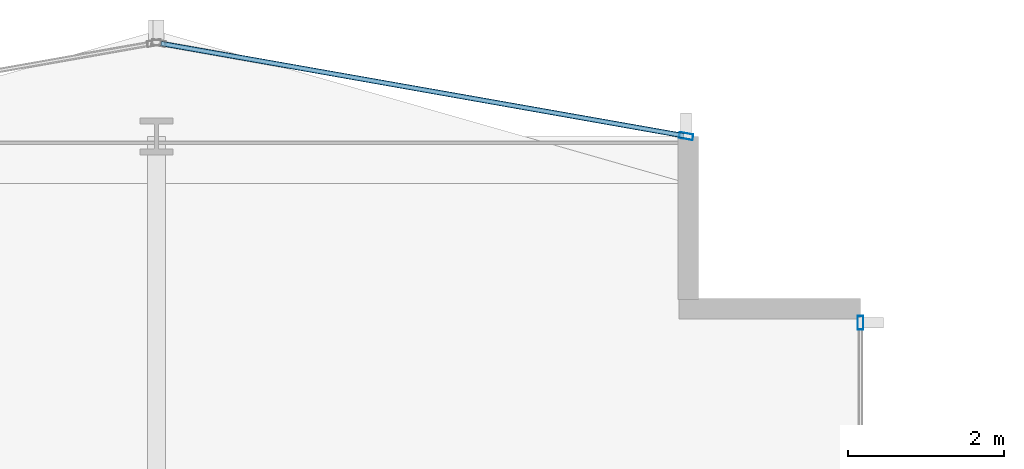
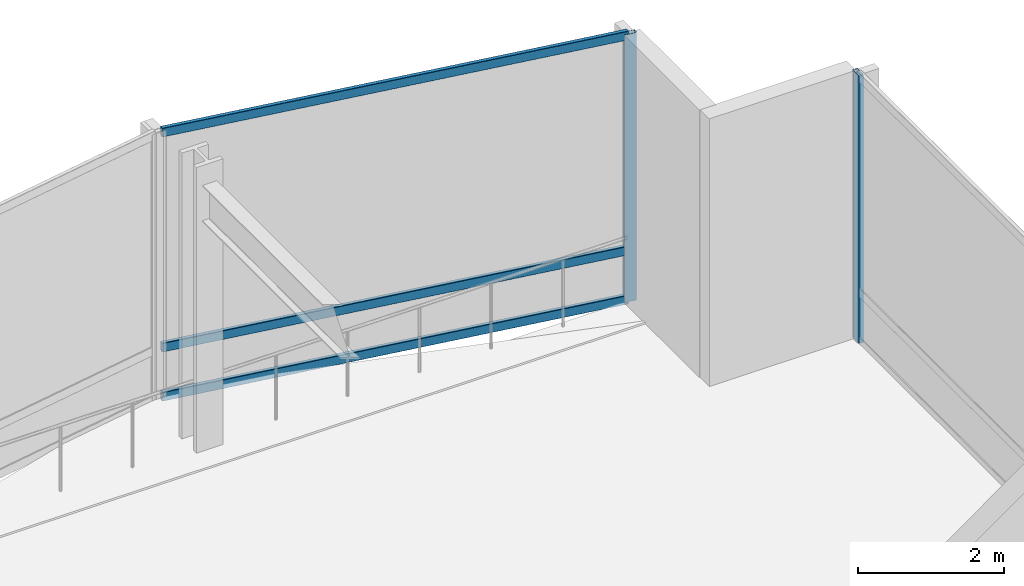
# One storey, part 26 of 42: 5 members, 2 elements without a shape of their own.
"""IFC4 building model written with IfcOpenShell, lengths in metres."""

from ifc_helpers import new_model, si_unit, direction, frame, origin, origin_2d, place, context, subcontext, project, spatial, hollow_rectangle, extrude, material, layer, layer_set, material_profile, profile_set, type_object, element, aggregate, save


model = new_model("IFC4")

# Units and contexts
model_context = context("Model", 3, precision=1e-05, world=origin(), true_north=direction((0.0, 1.0)))
body_context = subcontext(model_context, "Body", "Model", "MODEL_VIEW")
ifc_project = project(units=[si_unit("LENGTHUNIT", "METRE"), si_unit("AREAUNIT", "SQUARE_METRE"), si_unit("VOLUMEUNIT", "CUBIC_METRE"), si_unit("PLANEANGLEUNIT", "RADIAN"), si_unit("MASSUNIT", "GRAM", prefix="KILO")], contexts=[model_context])

# Site, building, storey
site_placement = place(None, origin())
site = spatial("IfcSite", under=ifc_project, at=site_placement, CompositionType="ELEMENT")
building_placement = place(site_placement, origin())
building = spatial("IfcBuilding", under=site, at=building_placement, Name="Solvaryn Broadcast Tower", CompositionType="ELEMENT")
storey_placement = place(building_placement, frame((0.0, 0.0, 100.199951171875)))
storey = spatial("IfcBuildingStorey", under=building, at=storey_placement, Name="L24", CompositionType="ELEMENT", Elevation=100.199951171875)

# Curtain wall, member
ifc_material_1 = material(Name="Aluminium and Terracotta Unitised Curtain Wall", Category="masonry")
ifc_layer = layer(ifc_material_1, 0.199951171875)
ifc_layer_set = layer_set([ifc_layer], Name="CW-SYS2-LOWMID")
curtain_wall_type = type_object("IfcCurtainWallType", Name="CW-SYS2-LOWMID", PredefinedType="NOTDEFINED", material=ifc_layer_set)
curtain_wall_1_placement = place(storey_placement, origin())
curtain_wall_1 = element("IfcCurtainWall", 1, at=curtain_wall_1_placement, inside=storey, type_object=curtain_wall_type, Name="L24 Curtain Wall IV", PredefinedType="NOTDEFINED")
ifc_material_2 = material(Name="Anodised Aluminium 6063-T6", Category="aluminium")
ifc_material_profile_1 = material_profile(ifc_material_2, hollow_rectangle(XDim=0.074951171875, YDim=0.179931640625, WallThickness=0.00390625, InnerFilletRadius=0.00390625, OuterFilletRadius=0.008056640625, at=origin_2d()))
ifc_profile_set_1 = profile_set([ifc_material_profile_1], Name="Anodised Aluminium 6063-T6")
member_type_1 = type_object("IfcMemberType", Name="CW-MUL-180", PredefinedType="MULLION", material=ifc_profile_set_1)
member_1_placement = place(storey_placement, frame((27.0, 51.6201171875, 0.0), z_axis=(0.0, 0.0, 1.0), x_axis=(1.0, 0.0, 0.0)))
member_1 = element("IfcMember", 2, at=member_1_placement, type_object=member_type_1, Name="CWS2 mullion 1", PredefinedType="MULLION", context=body_context, shape_type="SweptSolid", body=[
    extrude(hollow_rectangle(XDim=0.074951171875, YDim=0.179931640625, WallThickness=0.00390625, InnerFilletRadius=0.00390625, OuterFilletRadius=0.008056640625, at=origin_2d()), origin(), (0.0, 0.0, 1.0), 4.469970703125),
])
aggregate(curtain_wall_1, [member_1])

# Curtain wall, members
curtain_wall_2_placement = place(storey_placement, origin())
curtain_wall_2 = element("IfcCurtainWall", 3, at=curtain_wall_2_placement, inside=storey, type_object=curtain_wall_type, Name="L24 Curtain Wall NT1", PredefinedType="NOTDEFINED")
member_2_placement = place(storey_placement, frame((24.7705078125, 54.005126953125, 0.0), z_axis=(0.0, 0.0, 1.0), x_axis=(-0.173785333901, -0.984783558819, 0.0)))
member_2 = element("IfcMember", 4, at=member_2_placement, type_object=member_type_1, Name="CWS2 mullion 1", PredefinedType="MULLION", context=body_context, shape_type="SweptSolid", body=[
    extrude(hollow_rectangle(XDim=0.074951171875, YDim=0.179931640625, WallThickness=0.00390625, InnerFilletRadius=0.00390625, OuterFilletRadius=0.008056640625, at=origin_2d()), origin(), (0.0, 0.0, 1.0), 4.469970703125),
])
ifc_material_3 = material(Name="Anodised Aluminium 6063-T6", Category="aluminium")
ifc_material_profile_2 = material_profile(ifc_material_3, hollow_rectangle(XDim=0.06494140625, YDim=0.14990234375, WallThickness=0.00390625, InnerFilletRadius=0.00390625, OuterFilletRadius=0.008056640625, at=origin_2d()))
ifc_profile_set_2 = profile_set([ifc_material_profile_2], Name="Anodised Aluminium 6063-T6")
member_type_2 = type_object("IfcMemberType", Name="CW-TRN-150", PredefinedType="USERDEFINED", material=ifc_profile_set_2)
member_3_placement = place(storey_placement, frame((24.740966796875, 54.010498046875, 0.030029296875), z_axis=(-0.984788629673, 0.173756596613, 0.0), x_axis=(-0.173756596613, -0.984788629673, 0.0)))
member_3 = element("IfcMember", 5, at=member_3_placement, type_object=member_type_2, Name="CWS2 transom 1.1", ObjectType="TRANSOM", PredefinedType="USERDEFINED", context=body_context, shape_type="SweptSolid", body=[
    extrude(hollow_rectangle(XDim=0.06494140625, YDim=0.14990234375, WallThickness=0.00390625, InnerFilletRadius=0.00390625, OuterFilletRadius=0.008056640625, at=origin_2d()), origin(), (0.0, 0.0, 1.0), 6.78515625),
])
member_4_placement = place(storey_placement, frame((24.740966796875, 54.010498046875, 0.85009765625), z_axis=(-0.984788629673, 0.173756596613, 0.0), x_axis=(-0.173756596613, -0.984788629673, 0.0)))
member_4 = element("IfcMember", 6, at=member_4_placement, type_object=member_type_2, Name="CWS2 transom 1.2", ObjectType="TRANSOM", PredefinedType="USERDEFINED", context=body_context, shape_type="SweptSolid", body=[
    extrude(hollow_rectangle(XDim=0.06494140625, YDim=0.14990234375, WallThickness=0.00390625, InnerFilletRadius=0.00390625, OuterFilletRadius=0.008056640625, at=origin_2d()), origin(), (0.0, 0.0, 1.0), 6.78515625),
])
member_5_placement = place(storey_placement, frame((24.740966796875, 54.010498046875, 4.43994140625), z_axis=(-0.984788629673, 0.173756596613, 0.0), x_axis=(-0.173756596613, -0.984788629673, 0.0)))
member_5 = element("IfcMember", 7, at=member_5_placement, type_object=member_type_2, Name="CWS2 transom 1.3", ObjectType="TRANSOM", PredefinedType="USERDEFINED", context=body_context, shape_type="SweptSolid", body=[
    extrude(hollow_rectangle(XDim=0.06494140625, YDim=0.14990234375, WallThickness=0.00390625, InnerFilletRadius=0.00390625, OuterFilletRadius=0.008056640625, at=origin_2d()), origin(), (0.0, 0.0, 1.0), 6.78515625),
])
aggregate(curtain_wall_2, [member_2, member_3, member_4, member_5])

save(model, "model.ifc")
